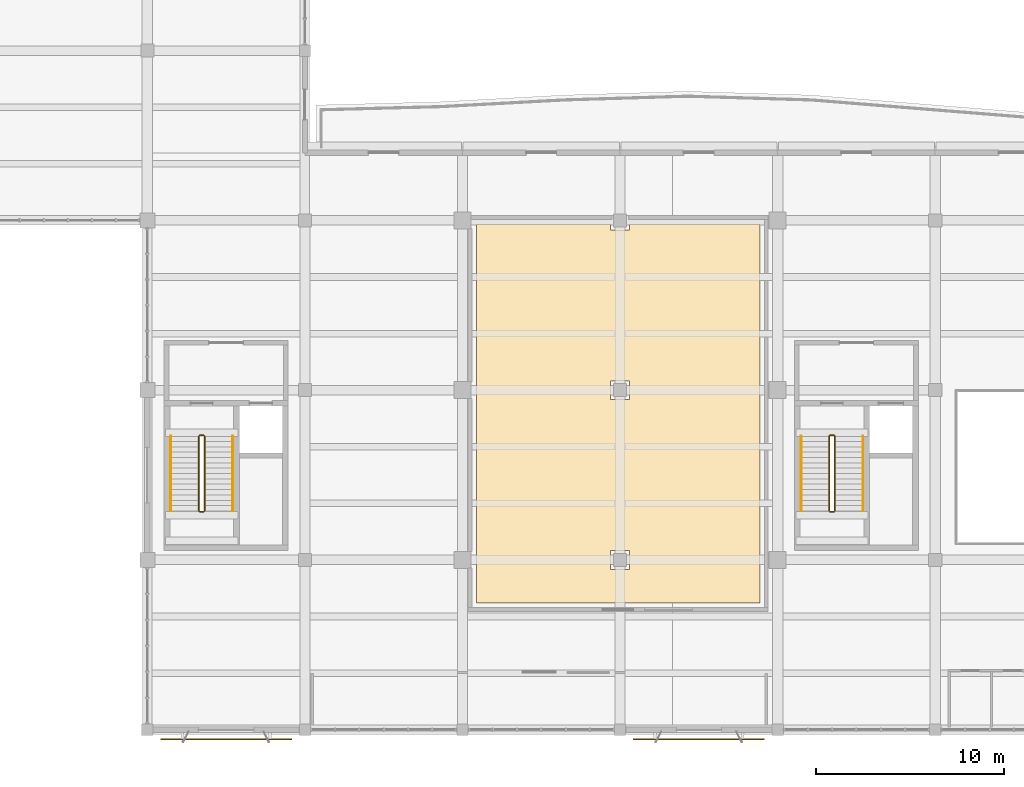
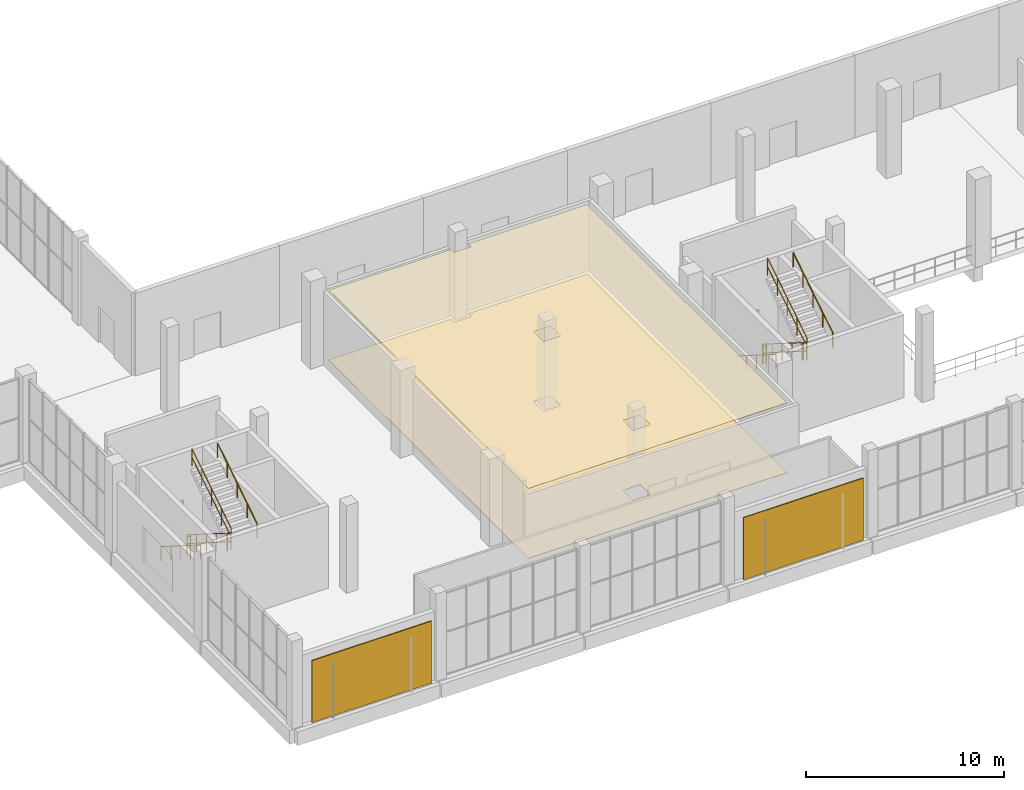
# One storey, part 124 of 132: 12 railings, 2 coverings, 2 shading devices.
"""IFC4 building model written with IfcOpenShell, lengths in metres."""

from ifc_helpers import new_model, si_unit, direction, frame, origin, origin_2d, place, context, subcontext, project, spatial, polyline, rectangle, circle, outline, extrude, material, layer, layer_set, type_object, element, save


model = new_model("IFC4")

# Units and contexts
model_context = context("Model", 3, precision=1e-05, world=origin(), true_north=direction((0.0, 1.0)))
body_context = subcontext(model_context, "Body", "Model", "MODEL_VIEW")
ifc_project = project(units=[si_unit("LENGTHUNIT", "METRE"), si_unit("AREAUNIT", "SQUARE_METRE"), si_unit("VOLUMEUNIT", "CUBIC_METRE"), si_unit("PLANEANGLEUNIT", "RADIAN"), si_unit("MASSUNIT", "GRAM", prefix="KILO")], contexts=[model_context])

# Site, building, storey
site_placement = place(None, origin())
site = spatial("IfcSite", under=ifc_project, at=site_placement, CompositionType="ELEMENT")
building_placement = place(site_placement, origin())
building = spatial("IfcBuilding", under=site, at=building_placement, Name="Khurvash Pelagic Aquarium", CompositionType="ELEMENT")
storey_placement = place(building_placement, frame((0.0, 0.0, 5.39990234375)))
storey = spatial("IfcBuildingStorey", under=building, at=storey_placement, Name="L01", CompositionType="ELEMENT", Elevation=5.39990234375)

# Coverings
ifc_material_1 = material(Name="Moisture-resistant acoustic mineral-fibre ceiling", Category="finish")
ifc_layer_1 = layer(ifc_material_1, 0.02490234375)
ifc_layer_set_1 = layer_set([ifc_layer_1], Name="Moisture-resistant acoustic mineral-fibre ceiling")
covering_type_1 = type_object("IfcCoveringType", Name="CV-CLG", PredefinedType="CEILING", material=ifc_layer_set_1)
covering_1_placement = place(storey_placement, frame((0.0, 0.0, 4.30517578125)))
element("IfcCovering", 1, at=covering_1_placement, inside=storey, type_object=covering_type_1, Name="L01 Makran Coast Kelp and Rocky Shore Gallery Suspended Acoustic Ceiling", PredefinedType="CEILING", context=body_context, shape_type="SweptSolid", body=[
    extrude(outline(polyline([(57.85009765625, 29.550048828125), (50.89990234375, 29.550048828125), (50.89990234375, 29.25), (49.89990234375, 29.25), (49.89990234375, 29.550048828125), (42.75, 29.550048828125), (42.75, 9.35009765625), (57.85009765625, 9.35009765625), (57.85009765625, 29.550048828125)]), holes=[polyline([(49.89990234375, 12.14990234375), (50.89990234375, 12.14990234375), (50.89990234375, 11.14990234375), (49.89990234375, 11.14990234375), (49.89990234375, 12.14990234375)]), polyline([(50.89990234375, 21.199951171875), (50.89990234375, 20.199951171875), (49.89990234375, 20.199951171875), (49.89990234375, 21.199951171875), (50.89990234375, 21.199951171875)])]), origin(), (0.0, 0.0, 1.0), 0.02490234375),
])
ifc_material_2 = material(Name="Slip-resistant terrazzo and epoxy resin flooring", Category="finish")
ifc_layer_2 = layer(ifc_material_2, 0.02001953125)
ifc_layer_set_2 = layer_set([ifc_layer_2], Name="Slip-resistant terrazzo and epoxy resin flooring")
covering_type_2 = type_object("IfcCoveringType", Name="CV-FLR", PredefinedType="FLOORING", material=ifc_layer_set_2)
covering_2_placement = place(storey_placement, origin())
element("IfcCovering", 2, at=covering_2_placement, inside=storey, type_object=covering_type_2, Name="L01 Makran Coast Kelp and Rocky Shore Gallery Terrazzo Floor Finish", PredefinedType="FLOORING", context=body_context, shape_type="SweptSolid", body=[
    extrude(outline(polyline([(57.85009765625, 29.550048828125), (50.89990234375, 29.550048828125), (50.89990234375, 29.25), (49.89990234375, 29.25), (49.89990234375, 29.550048828125), (42.75, 29.550048828125), (42.75, 9.35009765625), (57.85009765625, 9.35009765625), (57.85009765625, 29.550048828125)]), holes=[polyline([(49.89990234375, 12.14990234375), (50.89990234375, 12.14990234375), (50.89990234375, 11.14990234375), (49.89990234375, 11.14990234375), (49.89990234375, 12.14990234375)]), polyline([(50.89990234375, 21.199951171875), (50.89990234375, 20.199951171875), (49.89990234375, 20.199951171875), (49.89990234375, 21.199951171875), (50.89990234375, 21.199951171875)])]), origin(), (0.0, 0.0, 1.0), 0.02001953125),
])

# Railings
ifc_material_3 = material(Name="Powder-coated galvanised steel S355J2", Category="steel")
railing_type_1 = type_object("IfcRailingType", Name="GR-01", PredefinedType="GUARDRAIL", material=ifc_material_3)
railing_1_placement = place(storey_placement, frame((27.949951171875, 18.25, 0.18017578125)))
element("IfcRailing", 3, at=railing_1_placement, inside=storey, type_object=railing_type_1, Name="L01 ST-01 stair guard 1", PredefinedType="GUARDRAIL", context=body_context, shape_type="SweptSolid", body=[
    extrude(circle(Radius=0.02392578125, at=origin_2d()), frame((0.0, 0.0, 1.076171875), z_axis=(0.0, -0.845486444383, 0.533996884227), x_axis=(1.0, 0.0, 0.0)), (0.0, 0.0, 1.0), 4.71923828125),
    extrude(circle(Radius=0.02392578125, at=origin_2d()), frame((0.0, 0.0, 0.5380859375), z_axis=(0.0, -0.845486444383, 0.533996884227), x_axis=(1.0, 0.0, 0.0)), (0.0, 0.0, 1.0), 4.71923828125),
    extrude(circle(Radius=0.02099609375, at=origin_2d()), origin(), (0.0, 0.0, 1.0), 1.052001953125),
    extrude(circle(Radius=0.02099609375, at=origin_2d()), frame((0.0, -0.99755859375, 0.6298828125)), (0.0, 0.0, 1.0), 1.052001953125),
    extrude(circle(Radius=0.02099609375, at=origin_2d()), frame((0.0, -1.9951171875, 1.260009765625)), (0.0, 0.0, 1.0), 1.052001953125),
    extrude(circle(Radius=0.02099609375, at=origin_2d()), frame((0.0, -2.992431640625, 1.89013671875)), (0.0, 0.0, 1.0), 1.052001953125),
    extrude(circle(Radius=0.02099609375, at=origin_2d()), frame((0.0, -3.989990234375, 2.52001953125)), (0.0, 0.0, 1.0), 1.052001953125),
])
railing_2_placement = place(storey_placement, frame((28.0, 14.2099609375, 2.7001953125)))
element("IfcRailing", 4, at=railing_2_placement, inside=storey, type_object=railing_type_1, Name="L01 ST-01 stair guard 2", PredefinedType="GUARDRAIL", context=body_context, shape_type="SweptSolid", body=[
    extrude(circle(Radius=0.02392578125, at=origin_2d()), frame((0.0, 0.0, 1.076171875), z_axis=(1.0, 0.0, 0.0), x_axis=(0.0, 1.0, 0.0)), (0.0, 0.0, 1.0), 0.199951171875),
    extrude(circle(Radius=0.02392578125, at=origin_2d()), frame((0.0, 0.0, 0.5380859375), z_axis=(1.0, 0.0, 0.0), x_axis=(0.0, 1.0, 0.0)), (0.0, 0.0, 1.0), 0.199951171875),
    extrude(circle(Radius=0.02099609375, at=origin_2d()), origin(), (0.0, 0.0, 1.0), 1.052001953125),
    extrude(circle(Radius=0.02099609375, at=origin_2d()), frame((0.199951171875, 0.0, 0.0)), (0.0, 0.0, 1.0), 1.052001953125),
])
railing_3_placement = place(storey_placement, frame((28.25, 14.260009765625, 2.880126953125)))
element("IfcRailing", 5, at=railing_3_placement, inside=storey, type_object=railing_type_1, Name="L01 ST-01 stair guard 3", PredefinedType="GUARDRAIL", context=body_context, shape_type="SweptSolid", body=[
    extrude(circle(Radius=0.02392578125, at=origin_2d()), frame((0.0, 0.0, 1.076171875), z_axis=(0.0, 0.845486444383, 0.533996884227), x_axis=(-1.0, 0.0, 0.0)), (0.0, 0.0, 1.0), 4.71923828125),
    extrude(circle(Radius=0.02392578125, at=origin_2d()), frame((0.0, 0.0, 0.5380859375), z_axis=(0.0, 0.845486444383, 0.533996884227), x_axis=(-1.0, 0.0, 0.0)), (0.0, 0.0, 1.0), 4.71923828125),
    extrude(circle(Radius=0.02099609375, at=origin_2d()), origin(), (0.0, 0.0, 1.0), 1.052001953125),
    extrude(circle(Radius=0.02099609375, at=origin_2d()), frame((0.0, 0.99755859375, 0.6298828125)), (0.0, 0.0, 1.0), 1.052001953125),
    extrude(circle(Radius=0.02099609375, at=origin_2d()), frame((0.0, 1.9951171875, 1.260009765625)), (0.0, 0.0, 1.0), 1.052001953125),
    extrude(circle(Radius=0.02099609375, at=origin_2d()), frame((0.0, 2.992431640625, 1.89013671875)), (0.0, 0.0, 1.0), 1.052001953125),
    extrude(circle(Radius=0.02099609375, at=origin_2d()), frame((0.0, 3.989990234375, 2.52001953125)), (0.0, 0.0, 1.0), 1.052001953125),
])
railing_4_placement = place(storey_placement, frame((28.0, 18.300048828125, 0.0)))
element("IfcRailing", 6, at=railing_4_placement, inside=storey, type_object=railing_type_1, Name="L01 ST-01 stair guard 4", PredefinedType="GUARDRAIL", context=body_context, shape_type="SweptSolid", body=[
    extrude(circle(Radius=0.02392578125, at=origin_2d()), frame((0.0, 0.0, 1.076171875), z_axis=(1.0, 0.0, 0.0), x_axis=(0.0, 1.0, 0.0)), (0.0, 0.0, 1.0), 0.199951171875),
    extrude(circle(Radius=0.02392578125, at=origin_2d()), frame((0.0, 0.0, 0.5380859375), z_axis=(1.0, 0.0, 0.0), x_axis=(0.0, 1.0, 0.0)), (0.0, 0.0, 1.0), 0.199951171875),
    extrude(circle(Radius=0.02099609375, at=origin_2d()), origin(), (0.0, 0.0, 1.0), 1.052001953125),
    extrude(circle(Radius=0.02099609375, at=origin_2d()), frame((0.199951171875, 0.0, 0.0)), (0.0, 0.0, 1.0), 1.052001953125),
])
railing_5_placement = place(storey_placement, frame((61.550048828125, 18.25, 0.18017578125)))
element("IfcRailing", 7, at=railing_5_placement, inside=storey, type_object=railing_type_1, Name="L01 ST-02 stair guard 1", PredefinedType="GUARDRAIL", context=body_context, shape_type="SweptSolid", body=[
    extrude(circle(Radius=0.02392578125, at=origin_2d()), frame((0.0, 0.0, 1.076171875), z_axis=(0.0, -0.845486444383, 0.533996884227), x_axis=(1.0, 0.0, 0.0)), (0.0, 0.0, 1.0), 4.71923828125),
    extrude(circle(Radius=0.02392578125, at=origin_2d()), frame((0.0, 0.0, 0.5380859375), z_axis=(0.0, -0.845486444383, 0.533996884227), x_axis=(1.0, 0.0, 0.0)), (0.0, 0.0, 1.0), 4.71923828125),
    extrude(circle(Radius=0.02099609375, at=origin_2d()), origin(), (0.0, 0.0, 1.0), 1.052001953125),
    extrude(circle(Radius=0.02099609375, at=origin_2d()), frame((0.0, -0.99755859375, 0.6298828125)), (0.0, 0.0, 1.0), 1.052001953125),
    extrude(circle(Radius=0.02099609375, at=origin_2d()), frame((0.0, -1.9951171875, 1.260009765625)), (0.0, 0.0, 1.0), 1.052001953125),
    extrude(circle(Radius=0.02099609375, at=origin_2d()), frame((0.0, -2.992431640625, 1.89013671875)), (0.0, 0.0, 1.0), 1.052001953125),
    extrude(circle(Radius=0.02099609375, at=origin_2d()), frame((0.0, -3.989990234375, 2.52001953125)), (0.0, 0.0, 1.0), 1.052001953125),
])
railing_6_placement = place(storey_placement, frame((61.60009765625, 14.2099609375, 2.7001953125)))
element("IfcRailing", 8, at=railing_6_placement, inside=storey, type_object=railing_type_1, Name="L01 ST-02 stair guard 2", PredefinedType="GUARDRAIL", context=body_context, shape_type="SweptSolid", body=[
    extrude(circle(Radius=0.02392578125, at=origin_2d()), frame((0.0, 0.0, 1.076171875), z_axis=(1.0, 0.0, 0.0), x_axis=(0.0, 1.0, 0.0)), (0.0, 0.0, 1.0), 0.199951171875),
    extrude(circle(Radius=0.02392578125, at=origin_2d()), frame((0.0, 0.0, 0.5380859375), z_axis=(1.0, 0.0, 0.0), x_axis=(0.0, 1.0, 0.0)), (0.0, 0.0, 1.0), 0.199951171875),
    extrude(circle(Radius=0.02099609375, at=origin_2d()), origin(), (0.0, 0.0, 1.0), 1.052001953125),
    extrude(circle(Radius=0.02099609375, at=origin_2d()), frame((0.199951171875, 0.0, 0.0)), (0.0, 0.0, 1.0), 1.052001953125),
])
railing_7_placement = place(storey_placement, frame((61.85009765625, 14.260009765625, 2.880126953125)))
element("IfcRailing", 9, at=railing_7_placement, inside=storey, type_object=railing_type_1, Name="L01 ST-02 stair guard 3", PredefinedType="GUARDRAIL", context=body_context, shape_type="SweptSolid", body=[
    extrude(circle(Radius=0.02392578125, at=origin_2d()), frame((0.0, 0.0, 1.076171875), z_axis=(0.0, 0.845486444383, 0.533996884227), x_axis=(-1.0, 0.0, 0.0)), (0.0, 0.0, 1.0), 4.71923828125),
    extrude(circle(Radius=0.02392578125, at=origin_2d()), frame((0.0, 0.0, 0.5380859375), z_axis=(0.0, 0.845486444383, 0.533996884227), x_axis=(-1.0, 0.0, 0.0)), (0.0, 0.0, 1.0), 4.71923828125),
    extrude(circle(Radius=0.02099609375, at=origin_2d()), origin(), (0.0, 0.0, 1.0), 1.052001953125),
    extrude(circle(Radius=0.02099609375, at=origin_2d()), frame((0.0, 0.99755859375, 0.6298828125)), (0.0, 0.0, 1.0), 1.052001953125),
    extrude(circle(Radius=0.02099609375, at=origin_2d()), frame((0.0, 1.9951171875, 1.260009765625)), (0.0, 0.0, 1.0), 1.052001953125),
    extrude(circle(Radius=0.02099609375, at=origin_2d()), frame((0.0, 2.992431640625, 1.89013671875)), (0.0, 0.0, 1.0), 1.052001953125),
    extrude(circle(Radius=0.02099609375, at=origin_2d()), frame((0.0, 3.989990234375, 2.52001953125)), (0.0, 0.0, 1.0), 1.052001953125),
])
railing_8_placement = place(storey_placement, frame((61.60009765625, 18.300048828125, 0.0)))
element("IfcRailing", 10, at=railing_8_placement, inside=storey, type_object=railing_type_1, Name="L01 ST-02 stair guard 4", PredefinedType="GUARDRAIL", context=body_context, shape_type="SweptSolid", body=[
    extrude(circle(Radius=0.02392578125, at=origin_2d()), frame((0.0, 0.0, 1.076171875), z_axis=(1.0, 0.0, 0.0), x_axis=(0.0, 1.0, 0.0)), (0.0, 0.0, 1.0), 0.199951171875),
    extrude(circle(Radius=0.02392578125, at=origin_2d()), frame((0.0, 0.0, 0.5380859375), z_axis=(1.0, 0.0, 0.0), x_axis=(0.0, 1.0, 0.0)), (0.0, 0.0, 1.0), 0.199951171875),
    extrude(circle(Radius=0.02099609375, at=origin_2d()), origin(), (0.0, 0.0, 1.0), 1.052001953125),
    extrude(circle(Radius=0.02099609375, at=origin_2d()), frame((0.199951171875, 0.0, 0.0)), (0.0, 0.0, 1.0), 1.052001953125),
])
ifc_material_4 = material(Name="Brushed stainless steel 316", Category="steel")
railing_type_2 = type_object("IfcRailingType", Name="HR-01", PredefinedType="HANDRAIL", material=ifc_material_4)
railing_9_placement = place(storey_placement, frame((26.449951171875, 18.25, 0.18017578125)))
element("IfcRailing", 11, at=railing_9_placement, inside=storey, type_object=railing_type_2, Name="L01 ST-01 stair handrail 1", PredefinedType="HANDRAIL", context=body_context, shape_type="SweptSolid", body=[
    extrude(circle(Radius=0.02392578125, at=origin_2d()), frame((0.0, 0.0, 0.8759765625), z_axis=(0.0, -0.845486444383, 0.533996884227), x_axis=(1.0, 0.0, 0.0)), (0.0, 0.0, 1.0), 4.71923828125),
    extrude(circle(Radius=0.02099609375, at=origin_2d()), origin(), (0.0, 0.0, 1.0), 0.851806640625),
    extrude(circle(Radius=0.02099609375, at=origin_2d()), frame((0.0, -0.99755859375, 0.6298828125)), (0.0, 0.0, 1.0), 0.851806640625),
    extrude(circle(Radius=0.02099609375, at=origin_2d()), frame((0.0, -1.9951171875, 1.260009765625)), (0.0, 0.0, 1.0), 0.851806640625),
    extrude(circle(Radius=0.02099609375, at=origin_2d()), frame((0.0, -2.992431640625, 1.89013671875)), (0.0, 0.0, 1.0), 0.851806640625),
    extrude(circle(Radius=0.02099609375, at=origin_2d()), frame((0.0, -3.989990234375, 2.52001953125)), (0.0, 0.0, 1.0), 0.851806640625),
])
railing_10_placement = place(storey_placement, frame((29.75, 14.260009765625, 2.880126953125)))
element("IfcRailing", 12, at=railing_10_placement, inside=storey, type_object=railing_type_2, Name="L01 ST-01 stair handrail 2", PredefinedType="HANDRAIL", context=body_context, shape_type="SweptSolid", body=[
    extrude(circle(Radius=0.02392578125, at=origin_2d()), frame((0.0, 0.0, 0.8759765625), z_axis=(0.0, 0.845486444383, 0.533996884227), x_axis=(-1.0, 0.0, 0.0)), (0.0, 0.0, 1.0), 4.71923828125),
    extrude(circle(Radius=0.02099609375, at=origin_2d()), origin(), (0.0, 0.0, 1.0), 0.851806640625),
    extrude(circle(Radius=0.02099609375, at=origin_2d()), frame((0.0, 0.99755859375, 0.6298828125)), (0.0, 0.0, 1.0), 0.851806640625),
    extrude(circle(Radius=0.02099609375, at=origin_2d()), frame((0.0, 1.9951171875, 1.260009765625)), (0.0, 0.0, 1.0), 0.851806640625),
    extrude(circle(Radius=0.02099609375, at=origin_2d()), frame((0.0, 2.992431640625, 1.89013671875)), (0.0, 0.0, 1.0), 0.851806640625),
    extrude(circle(Radius=0.02099609375, at=origin_2d()), frame((0.0, 3.989990234375, 2.52001953125)), (0.0, 0.0, 1.0), 0.851806640625),
])
railing_11_placement = place(storey_placement, frame((60.050048828125, 18.25, 0.18017578125)))
element("IfcRailing", 13, at=railing_11_placement, inside=storey, type_object=railing_type_2, Name="L01 ST-02 stair handrail 1", PredefinedType="HANDRAIL", context=body_context, shape_type="SweptSolid", body=[
    extrude(circle(Radius=0.02392578125, at=origin_2d()), frame((0.0, 0.0, 0.8759765625), z_axis=(0.0, -0.845486444383, 0.533996884227), x_axis=(1.0, 0.0, 0.0)), (0.0, 0.0, 1.0), 4.71923828125),
    extrude(circle(Radius=0.02099609375, at=origin_2d()), origin(), (0.0, 0.0, 1.0), 0.851806640625),
    extrude(circle(Radius=0.02099609375, at=origin_2d()), frame((0.0, -0.99755859375, 0.6298828125)), (0.0, 0.0, 1.0), 0.851806640625),
    extrude(circle(Radius=0.02099609375, at=origin_2d()), frame((0.0, -1.9951171875, 1.260009765625)), (0.0, 0.0, 1.0), 0.851806640625),
    extrude(circle(Radius=0.02099609375, at=origin_2d()), frame((0.0, -2.992431640625, 1.89013671875)), (0.0, 0.0, 1.0), 0.851806640625),
    extrude(circle(Radius=0.02099609375, at=origin_2d()), frame((0.0, -3.989990234375, 2.52001953125)), (0.0, 0.0, 1.0), 0.851806640625),
])
railing_12_placement = place(storey_placement, frame((63.35009765625, 14.260009765625, 2.880126953125)))
element("IfcRailing", 14, at=railing_12_placement, inside=storey, type_object=railing_type_2, Name="L01 ST-02 stair handrail 2", PredefinedType="HANDRAIL", context=body_context, shape_type="SweptSolid", body=[
    extrude(circle(Radius=0.02392578125, at=origin_2d()), frame((0.0, 0.0, 0.8759765625), z_axis=(0.0, 0.845486444383, 0.533996884227), x_axis=(-1.0, 0.0, 0.0)), (0.0, 0.0, 1.0), 4.71923828125),
    extrude(circle(Radius=0.02099609375, at=origin_2d()), origin(), (0.0, 0.0, 1.0), 0.851806640625),
    extrude(circle(Radius=0.02099609375, at=origin_2d()), frame((0.0, 0.99755859375, 0.6298828125)), (0.0, 0.0, 1.0), 0.851806640625),
    extrude(circle(Radius=0.02099609375, at=origin_2d()), frame((0.0, 1.9951171875, 1.260009765625)), (0.0, 0.0, 1.0), 0.851806640625),
    extrude(circle(Radius=0.02099609375, at=origin_2d()), frame((0.0, 2.992431640625, 1.89013671875)), (0.0, 0.0, 1.0), 0.851806640625),
    extrude(circle(Radius=0.02099609375, at=origin_2d()), frame((0.0, 3.989990234375, 2.52001953125)), (0.0, 0.0, 1.0), 0.851806640625),
])

# Shading devices
ifc_material_5 = material(Name="Perforated anodised aluminium AW-5005", Category="aluminium")
ifc_layer_3 = layer(ifc_material_5, 0.06005859375)
ifc_layer_set_3 = layer_set([ifc_layer_3], Name="Perforated anodised aluminium AW-5005")
shading_device_type = type_object("IfcShadingDeviceType", Name="SH-JAL", PredefinedType="JALOUSIE", material=ifc_layer_set_3)
for number, where, z_axis, x_axis, name in (
    (15, (29.39990234375, 2.080078125, 0.199951171875), (0.0, 0.0, 1.0), (1.0, 0.0, 0.0), "L01 Perforated Aluminium Jali Screen SH-JAL 0001"),
    (16, (54.60009765625, 2.080078125, 0.199951171875), (0.0, 0.0, 1.0), (1.0, 0.0, 0.0), "L01 Perforated Aluminium Jali Screen SH-JAL 0002"),
):
    element("IfcShadingDevice", number, at=place(storey_placement, frame(where, z_axis=z_axis, x_axis=x_axis)), inside=storey, type_object=shading_device_type, Name=name, PredefinedType="JALOUSIE", context=body_context, shape_type="SweptSolid", body=[
        extrude(rectangle(XDim=6.989990234375, YDim=0.06005859375, at=origin_2d()), origin(), (0.0, 0.0, 1.0), 3.830078125),
    ])

save(model, "model.ifc")
